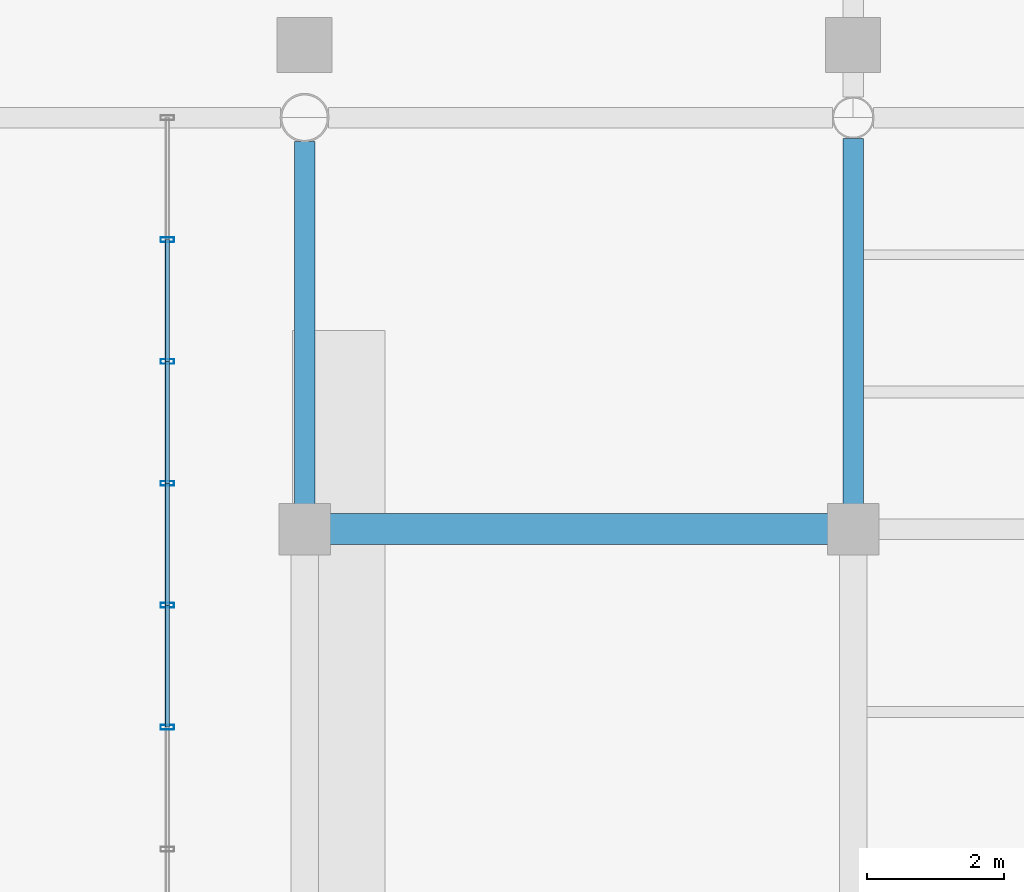
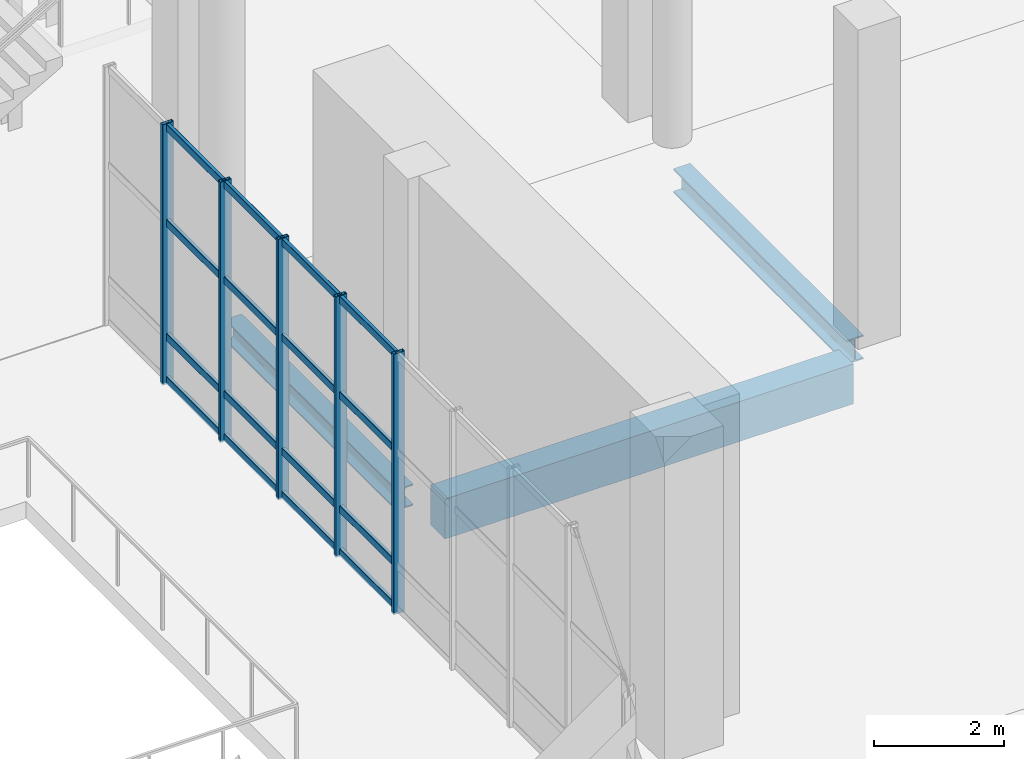
# One storey, part 76 of 163: 21 members, 3 beams, 1 element without a shape of its own.
"""IFC4 building model written with IfcOpenShell, lengths in metres."""

from ifc_helpers import new_model, si_unit, direction, frame, origin, origin_2d, place, context, subcontext, project, spatial, rectangle, hollow_rectangle, i_section, extrude, material, layer, layer_set, material_profile, profile_set, type_object, element, aggregate, save


model = new_model("IFC4")

# Units and contexts
model_context = context("Model", 3, precision=1e-05, world=origin(), true_north=direction((0.0, 1.0)))
body_context = subcontext(model_context, "Body", "Model", "MODEL_VIEW")
ifc_project = project(units=[si_unit("LENGTHUNIT", "METRE"), si_unit("AREAUNIT", "SQUARE_METRE"), si_unit("VOLUMEUNIT", "CUBIC_METRE"), si_unit("PLANEANGLEUNIT", "RADIAN"), si_unit("MASSUNIT", "GRAM", prefix="KILO")], contexts=[model_context])

# Site, building, storey
site_placement = place(None, origin())
site = spatial("IfcSite", under=ifc_project, at=site_placement, CompositionType="ELEMENT")
building_placement = place(site_placement, origin())
building = spatial("IfcBuilding", under=site, at=building_placement, Name="Khorjan Park Terminus", CompositionType="ELEMENT")
storey_placement = place(building_placement, origin())
storey = spatial("IfcBuildingStorey", under=building, at=storey_placement, Name="L00", CompositionType="ELEMENT", Elevation=0.0)

# Beams
ifc_material_1 = material(Name="Steel S355", Category="steel")
ifc_material_profile_1 = material_profile(ifc_material_1, i_section(OverallWidth=0.3, OverallDepth=0.4, WebThickness=0.0135, FlangeThickness=0.024, FilletRadius=0.027, at=origin_2d()), Name="HEB 400")
ifc_profile_set_1 = profile_set([ifc_material_profile_1], Name="Steel S355")
beam_type_1 = type_object("IfcBeamType", Name="BM-HEB400", PredefinedType="BEAM", material=ifc_profile_set_1)
beam_1_placement = place(storey_placement, frame((112.0, 96.37, -0.56), z_axis=(0.0, 1.0, 0.0), x_axis=(-1.0, 0.0, 0.0)))
element("IfcBeam", 1, at=beam_1_placement, inside=storey, type_object=beam_type_1, Name="Primary floor girder SB-B40 (L00)", PredefinedType="BEAM", context=body_context, shape_type="SweptSolid", body=[
    extrude(i_section(OverallWidth=0.3, OverallDepth=0.4, WebThickness=0.0135, FlangeThickness=0.024, FilletRadius=0.027, at=origin_2d()), origin(), (0.0, 0.0, 1.0), 5.2795),
])
ifc_material_profile_2 = material_profile(ifc_material_1, i_section(OverallWidth=0.3, OverallDepth=0.45, WebThickness=0.014, FlangeThickness=0.026, FilletRadius=0.027, at=origin_2d()), Name="HEB 450")
ifc_profile_set_2 = profile_set([ifc_material_profile_2], Name="Steel S355")
beam_type_2 = type_object("IfcBeamType", Name="BM-HEB450", PredefinedType="BEAM", material=ifc_profile_set_2)
beam_2_placement = place(storey_placement, frame((120.0, 96.37, -0.585), z_axis=(0.0, 1.0, 0.0), x_axis=(-1.0, 0.0, 0.0)))
element("IfcBeam", 2, at=beam_2_placement, inside=storey, type_object=beam_type_2, Name="Primary floor girder SB-B45 (L00)", PredefinedType="BEAM", context=body_context, shape_type="SweptSolid", body=[
    extrude(i_section(OverallWidth=0.3, OverallDepth=0.45, WebThickness=0.014, FlangeThickness=0.026, FilletRadius=0.027, at=origin_2d()), origin(), (0.0, 0.0, 1.0), 5.33),
])
ifc_material_2 = material(Name="Concrete C40/50", Category="concrete")
ifc_material_profile_3 = material_profile(ifc_material_2, rectangle(XDim=0.45, YDim=0.75, at=origin_2d()), Name="RC 450x750")
ifc_profile_set_3 = profile_set([ifc_material_profile_3], Name="Concrete C40/50")
beam_type_3 = type_object("IfcBeamType", Name="BM-RC450x750", PredefinedType="BEAM", material=ifc_profile_set_3)
beam_3_placement = place(storey_placement, frame((112.37, 96.0, -0.735), z_axis=(1.0, 0.0, 0.0), x_axis=(0.0, 1.0, 0.0)))
element("IfcBeam", 3, at=beam_3_placement, inside=storey, type_object=beam_type_3, Name="Primary floor girder GB-75 (L00)", PredefinedType="BEAM", context=body_context, shape_type="SweptSolid", body=[
    extrude(rectangle(XDim=0.45, YDim=0.75, at=origin_2d()), origin(), (0.0, 0.0, 1.0), 7.26),
])

# Curtain wall, members
ifc_material_3 = material(Name="Anodized Bronze Aluminium", Category="aluminium")
ifc_layer = layer(ifc_material_3, 0.22)
ifc_layer_set = layer_set([ifc_layer], Name="Anodized Bronze Aluminium")
curtain_wall_type = type_object("IfcCurtainWallType", Name="CW-BRG-D", PredefinedType="NOTDEFINED", material=ifc_layer_set)
curtain_wall_placement = place(storey_placement, origin())
curtain_wall = element("IfcCurtainWall", 4, at=curtain_wall_placement, inside=storey, type_object=curtain_wall_type, Name="Unitized curtain wall CW-D (CW-NKE-W-L00)", PredefinedType="NOTDEFINED")
ifc_material_profile_4 = material_profile(ifc_material_3, hollow_rectangle(XDim=0.07, YDim=0.2, WallThickness=0.005, InnerFilletRadius=0.005, OuterFilletRadius=0.01, at=origin_2d()), Name="ALM 70x200x5")
ifc_profile_set_4 = profile_set([ifc_material_profile_4], Name="Anodized Bronze Aluminium")
member_type_1 = type_object("IfcMemberType", Name="ML-ALM-200", PredefinedType="MULLION", material=ifc_profile_set_4)
member_1_placement = place(storey_placement, frame((110.0, 100.2222, -0.035), z_axis=(0.0, 0.0, 1.0), x_axis=(0.0, -1.0, 0.0)))
member_1 = element("IfcMember", 5, at=member_1_placement, type_object=member_type_1, Name="Curtain-wall mullion ML-20 (CW-NKE-W-L00-1)", PredefinedType="MULLION", context=body_context, shape_type="SweptSolid", body=[
    extrude(hollow_rectangle(XDim=0.07, YDim=0.2, WallThickness=0.005, InnerFilletRadius=0.005, OuterFilletRadius=0.01, at=origin_2d()), origin(), (0.0, 0.0, 1.0), 4.895),
])
member_2_placement = place(storey_placement, frame((110.0, 98.4444, -0.035), z_axis=(0.0, 0.0, 1.0), x_axis=(0.0, -1.0, 0.0)))
member_2 = element("IfcMember", 6, at=member_2_placement, type_object=member_type_1, Name="Curtain-wall mullion ML-20 (CW-NKE-W-L00-2)", PredefinedType="MULLION", context=body_context, shape_type="SweptSolid", body=[
    extrude(hollow_rectangle(XDim=0.07, YDim=0.2, WallThickness=0.005, InnerFilletRadius=0.005, OuterFilletRadius=0.01, at=origin_2d()), origin(), (0.0, 0.0, 1.0), 4.895),
])
member_3_placement = place(storey_placement, frame((110.0, 96.6667, -0.035), z_axis=(0.0, 0.0, 1.0), x_axis=(0.0, -1.0, 0.0)))
member_3 = element("IfcMember", 7, at=member_3_placement, type_object=member_type_1, Name="Curtain-wall mullion ML-20 (CW-NKE-W-L00-3)", PredefinedType="MULLION", context=body_context, shape_type="SweptSolid", body=[
    extrude(hollow_rectangle(XDim=0.07, YDim=0.2, WallThickness=0.005, InnerFilletRadius=0.005, OuterFilletRadius=0.01, at=origin_2d()), origin(), (0.0, 0.0, 1.0), 4.895),
])
member_4_placement = place(storey_placement, frame((110.0, 94.8889, -0.035), z_axis=(0.0, 0.0, 1.0), x_axis=(0.0, -1.0, 0.0)))
member_4 = element("IfcMember", 8, at=member_4_placement, type_object=member_type_1, Name="Curtain-wall mullion ML-20 (CW-NKE-W-L00-4)", PredefinedType="MULLION", context=body_context, shape_type="SweptSolid", body=[
    extrude(hollow_rectangle(XDim=0.07, YDim=0.2, WallThickness=0.005, InnerFilletRadius=0.005, OuterFilletRadius=0.01, at=origin_2d()), origin(), (0.0, 0.0, 1.0), 4.895),
])
member_5_placement = place(storey_placement, frame((110.0, 93.1111, -0.035), z_axis=(0.0, 0.0, 1.0), x_axis=(0.0, -1.0, 0.0)))
member_5 = element("IfcMember", 9, at=member_5_placement, type_object=member_type_1, Name="Curtain-wall mullion ML-20 (CW-NKE-W-L00-5)", PredefinedType="MULLION", context=body_context, shape_type="SweptSolid", body=[
    extrude(hollow_rectangle(XDim=0.07, YDim=0.2, WallThickness=0.005, InnerFilletRadius=0.005, OuterFilletRadius=0.01, at=origin_2d()), origin(), (0.0, 0.0, 1.0), 4.895),
])
ifc_material_profile_5 = material_profile(ifc_material_3, hollow_rectangle(XDim=0.065, YDim=0.14, WallThickness=0.004, InnerFilletRadius=0.004, OuterFilletRadius=0.008, at=origin_2d()), Name="ALT 65x140x4")
ifc_profile_set_5 = profile_set([ifc_material_profile_5], Name="Anodized Bronze Aluminium")
member_type_2 = type_object("IfcMemberType", Name="TR-ALT-140", PredefinedType="USERDEFINED", material=ifc_profile_set_5)
member_6_placement = place(storey_placement, frame((110.0, 100.2222, 0.04), z_axis=(0.0, -1.0, 0.0), x_axis=(1.0, 0.0, 0.0)))
member_6 = element("IfcMember", 10, at=member_6_placement, type_object=member_type_2, Name="Curtain-wall transom TR-14 (CW-NKE-W-L00-1-1)", ObjectType="TRANSOM", PredefinedType="USERDEFINED", context=body_context, shape_type="SweptSolid", body=[
    extrude(hollow_rectangle(XDim=0.065, YDim=0.14, WallThickness=0.004, InnerFilletRadius=0.004, OuterFilletRadius=0.008, at=origin_2d()), origin(), (0.0, 0.0, 1.0), 1.7778),
])
member_7_placement = place(storey_placement, frame((110.0, 100.2222, 0.85), z_axis=(0.0, -1.0, 0.0), x_axis=(1.0, 0.0, 0.0)))
member_7 = element("IfcMember", 11, at=member_7_placement, type_object=member_type_2, Name="Curtain-wall transom TR-14 (CW-NKE-W-L00-1-2)", ObjectType="TRANSOM", PredefinedType="USERDEFINED", context=body_context, shape_type="SweptSolid", body=[
    extrude(hollow_rectangle(XDim=0.065, YDim=0.14, WallThickness=0.004, InnerFilletRadius=0.004, OuterFilletRadius=0.008, at=origin_2d()), origin(), (0.0, 0.0, 1.0), 1.7778),
])
member_8_placement = place(storey_placement, frame((110.0, 100.2222, 2.9915), z_axis=(0.0, -1.0, 0.0), x_axis=(1.0, 0.0, 0.0)))
member_8 = element("IfcMember", 12, at=member_8_placement, type_object=member_type_2, Name="Curtain-wall transom TR-14 (CW-NKE-W-L00-1-3)", ObjectType="TRANSOM", PredefinedType="USERDEFINED", context=body_context, shape_type="SweptSolid", body=[
    extrude(hollow_rectangle(XDim=0.065, YDim=0.14, WallThickness=0.004, InnerFilletRadius=0.004, OuterFilletRadius=0.008, at=origin_2d()), origin(), (0.0, 0.0, 1.0), 1.7778),
])
member_9_placement = place(storey_placement, frame((110.0, 100.2222, 4.785), z_axis=(0.0, -1.0, 0.0), x_axis=(1.0, 0.0, 0.0)))
member_9 = element("IfcMember", 13, at=member_9_placement, type_object=member_type_2, Name="Curtain-wall transom TR-14 (CW-NKE-W-L00-1-4)", ObjectType="TRANSOM", PredefinedType="USERDEFINED", context=body_context, shape_type="SweptSolid", body=[
    extrude(hollow_rectangle(XDim=0.065, YDim=0.14, WallThickness=0.004, InnerFilletRadius=0.004, OuterFilletRadius=0.008, at=origin_2d()), origin(), (0.0, 0.0, 1.0), 1.7778),
])
member_10_placement = place(storey_placement, frame((110.0, 98.4444, 0.04), z_axis=(0.0, -1.0, 0.0), x_axis=(1.0, 0.0, 0.0)))
member_10 = element("IfcMember", 14, at=member_10_placement, type_object=member_type_2, Name="Curtain-wall transom TR-14 (CW-NKE-W-L00-2-1)", ObjectType="TRANSOM", PredefinedType="USERDEFINED", context=body_context, shape_type="SweptSolid", body=[
    extrude(hollow_rectangle(XDim=0.065, YDim=0.14, WallThickness=0.004, InnerFilletRadius=0.004, OuterFilletRadius=0.008, at=origin_2d()), origin(), (0.0, 0.0, 1.0), 1.7777),
])
member_11_placement = place(storey_placement, frame((110.0, 98.4444, 0.85), z_axis=(0.0, -1.0, 0.0), x_axis=(1.0, 0.0, 0.0)))
member_11 = element("IfcMember", 15, at=member_11_placement, type_object=member_type_2, Name="Curtain-wall transom TR-14 (CW-NKE-W-L00-2-2)", ObjectType="TRANSOM", PredefinedType="USERDEFINED", context=body_context, shape_type="SweptSolid", body=[
    extrude(hollow_rectangle(XDim=0.065, YDim=0.14, WallThickness=0.004, InnerFilletRadius=0.004, OuterFilletRadius=0.008, at=origin_2d()), origin(), (0.0, 0.0, 1.0), 1.7777),
])
member_12_placement = place(storey_placement, frame((110.0, 98.4444, 2.9915), z_axis=(0.0, -1.0, 0.0), x_axis=(1.0, 0.0, 0.0)))
member_12 = element("IfcMember", 16, at=member_12_placement, type_object=member_type_2, Name="Curtain-wall transom TR-14 (CW-NKE-W-L00-2-3)", ObjectType="TRANSOM", PredefinedType="USERDEFINED", context=body_context, shape_type="SweptSolid", body=[
    extrude(hollow_rectangle(XDim=0.065, YDim=0.14, WallThickness=0.004, InnerFilletRadius=0.004, OuterFilletRadius=0.008, at=origin_2d()), origin(), (0.0, 0.0, 1.0), 1.7777),
])
member_13_placement = place(storey_placement, frame((110.0, 98.4444, 4.785), z_axis=(0.0, -1.0, 0.0), x_axis=(1.0, 0.0, 0.0)))
member_13 = element("IfcMember", 17, at=member_13_placement, type_object=member_type_2, Name="Curtain-wall transom TR-14 (CW-NKE-W-L00-2-4)", ObjectType="TRANSOM", PredefinedType="USERDEFINED", context=body_context, shape_type="SweptSolid", body=[
    extrude(hollow_rectangle(XDim=0.065, YDim=0.14, WallThickness=0.004, InnerFilletRadius=0.004, OuterFilletRadius=0.008, at=origin_2d()), origin(), (0.0, 0.0, 1.0), 1.7777),
])
member_14_placement = place(storey_placement, frame((110.0, 96.6667, 0.04), z_axis=(0.0, -1.0, 0.0), x_axis=(1.0, 0.0, 0.0)))
member_14 = element("IfcMember", 18, at=member_14_placement, type_object=member_type_2, Name="Curtain-wall transom TR-14 (CW-NKE-W-L00-3-1)", ObjectType="TRANSOM", PredefinedType="USERDEFINED", context=body_context, shape_type="SweptSolid", body=[
    extrude(hollow_rectangle(XDim=0.065, YDim=0.14, WallThickness=0.004, InnerFilletRadius=0.004, OuterFilletRadius=0.008, at=origin_2d()), origin(), (0.0, 0.0, 1.0), 1.7778),
])
member_15_placement = place(storey_placement, frame((110.0, 96.6667, 0.85), z_axis=(0.0, -1.0, 0.0), x_axis=(1.0, 0.0, 0.0)))
member_15 = element("IfcMember", 19, at=member_15_placement, type_object=member_type_2, Name="Curtain-wall transom TR-14 (CW-NKE-W-L00-3-2)", ObjectType="TRANSOM", PredefinedType="USERDEFINED", context=body_context, shape_type="SweptSolid", body=[
    extrude(hollow_rectangle(XDim=0.065, YDim=0.14, WallThickness=0.004, InnerFilletRadius=0.004, OuterFilletRadius=0.008, at=origin_2d()), origin(), (0.0, 0.0, 1.0), 1.7778),
])
member_16_placement = place(storey_placement, frame((110.0, 96.6667, 2.9915), z_axis=(0.0, -1.0, 0.0), x_axis=(1.0, 0.0, 0.0)))
member_16 = element("IfcMember", 20, at=member_16_placement, type_object=member_type_2, Name="Curtain-wall transom TR-14 (CW-NKE-W-L00-3-3)", ObjectType="TRANSOM", PredefinedType="USERDEFINED", context=body_context, shape_type="SweptSolid", body=[
    extrude(hollow_rectangle(XDim=0.065, YDim=0.14, WallThickness=0.004, InnerFilletRadius=0.004, OuterFilletRadius=0.008, at=origin_2d()), origin(), (0.0, 0.0, 1.0), 1.7778),
])
member_17_placement = place(storey_placement, frame((110.0, 96.6667, 4.785), z_axis=(0.0, -1.0, 0.0), x_axis=(1.0, 0.0, 0.0)))
member_17 = element("IfcMember", 21, at=member_17_placement, type_object=member_type_2, Name="Curtain-wall transom TR-14 (CW-NKE-W-L00-3-4)", ObjectType="TRANSOM", PredefinedType="USERDEFINED", context=body_context, shape_type="SweptSolid", body=[
    extrude(hollow_rectangle(XDim=0.065, YDim=0.14, WallThickness=0.004, InnerFilletRadius=0.004, OuterFilletRadius=0.008, at=origin_2d()), origin(), (0.0, 0.0, 1.0), 1.7778),
])
member_18_placement = place(storey_placement, frame((110.0, 94.8889, 0.04), z_axis=(0.0, -1.0, 0.0), x_axis=(1.0, 0.0, 0.0)))
member_18 = element("IfcMember", 22, at=member_18_placement, type_object=member_type_2, Name="Curtain-wall transom TR-14 (CW-NKE-W-L00-4-1)", ObjectType="TRANSOM", PredefinedType="USERDEFINED", context=body_context, shape_type="SweptSolid", body=[
    extrude(hollow_rectangle(XDim=0.065, YDim=0.14, WallThickness=0.004, InnerFilletRadius=0.004, OuterFilletRadius=0.008, at=origin_2d()), origin(), (0.0, 0.0, 1.0), 1.7778),
])
member_19_placement = place(storey_placement, frame((110.0, 94.8889, 0.85), z_axis=(0.0, -1.0, 0.0), x_axis=(1.0, 0.0, 0.0)))
member_19 = element("IfcMember", 23, at=member_19_placement, type_object=member_type_2, Name="Curtain-wall transom TR-14 (CW-NKE-W-L00-4-2)", ObjectType="TRANSOM", PredefinedType="USERDEFINED", context=body_context, shape_type="SweptSolid", body=[
    extrude(hollow_rectangle(XDim=0.065, YDim=0.14, WallThickness=0.004, InnerFilletRadius=0.004, OuterFilletRadius=0.008, at=origin_2d()), origin(), (0.0, 0.0, 1.0), 1.7778),
])
member_20_placement = place(storey_placement, frame((110.0, 94.8889, 2.9915), z_axis=(0.0, -1.0, 0.0), x_axis=(1.0, 0.0, 0.0)))
member_20 = element("IfcMember", 24, at=member_20_placement, type_object=member_type_2, Name="Curtain-wall transom TR-14 (CW-NKE-W-L00-4-3)", ObjectType="TRANSOM", PredefinedType="USERDEFINED", context=body_context, shape_type="SweptSolid", body=[
    extrude(hollow_rectangle(XDim=0.065, YDim=0.14, WallThickness=0.004, InnerFilletRadius=0.004, OuterFilletRadius=0.008, at=origin_2d()), origin(), (0.0, 0.0, 1.0), 1.7778),
])
member_21_placement = place(storey_placement, frame((110.0, 94.8889, 4.785), z_axis=(0.0, -1.0, 0.0), x_axis=(1.0, 0.0, 0.0)))
member_21 = element("IfcMember", 25, at=member_21_placement, type_object=member_type_2, Name="Curtain-wall transom TR-14 (CW-NKE-W-L00-4-4)", ObjectType="TRANSOM", PredefinedType="USERDEFINED", context=body_context, shape_type="SweptSolid", body=[
    extrude(hollow_rectangle(XDim=0.065, YDim=0.14, WallThickness=0.004, InnerFilletRadius=0.004, OuterFilletRadius=0.008, at=origin_2d()), origin(), (0.0, 0.0, 1.0), 1.7778),
])
aggregate(curtain_wall, [member_1, member_2, member_3, member_4, member_5, member_6, member_7, member_8, member_9, member_10, member_11, member_12, member_13, member_14, member_15, member_16, member_17, member_18, member_19, member_20, member_21])

save(model, "model.ifc")
